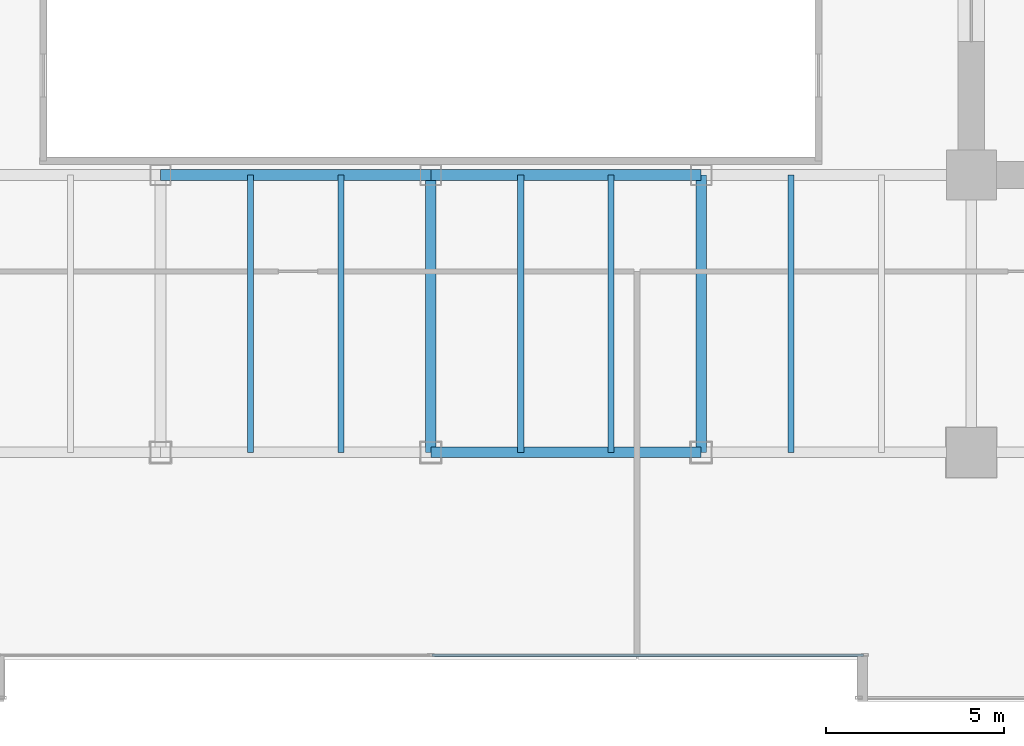
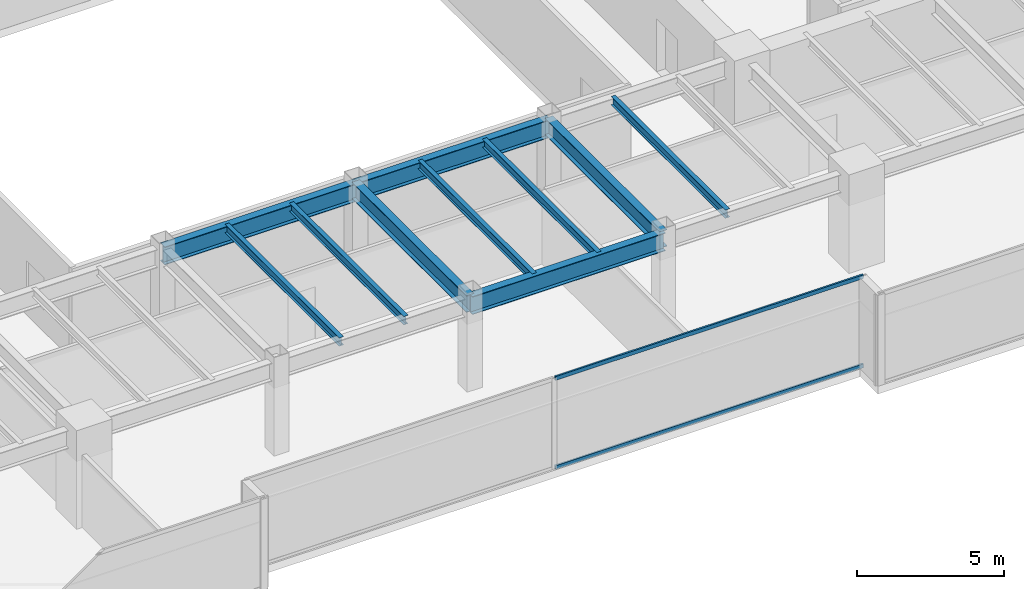
# One storey, part 9 of 36: 10 beams, 2 members, 1 element without a shape of its own.
"""IFC4 building model written with IfcOpenShell, lengths in metres."""

from ifc_helpers import new_model, si_unit, direction, frame, origin, origin_2d, place, context, subcontext, project, spatial, hollow_rectangle, i_section, extrude, source, transform, mapped, material, layer, layer_set, material_profile, profile_set, type_object, type_shapes, element, aggregate, save


model = new_model("IFC4")

# Units and contexts
model_context = context("Model", 3, precision=1e-05, world=origin(), true_north=direction((0.0, 1.0)))
body_context = subcontext(model_context, "Body", "Model", "MODEL_VIEW")
ifc_project = project(units=[si_unit("LENGTHUNIT", "METRE"), si_unit("AREAUNIT", "SQUARE_METRE"), si_unit("VOLUMEUNIT", "CUBIC_METRE"), si_unit("PLANEANGLEUNIT", "RADIAN"), si_unit("MASSUNIT", "GRAM", prefix="KILO")], contexts=[model_context])

# Site, building, storey
site_placement = place(None, origin())
site = spatial("IfcSite", under=ifc_project, at=site_placement, CompositionType="ELEMENT")
building_placement = place(site_placement, origin())
building = spatial("IfcBuilding", under=site, at=building_placement, Name="Haelvirn Gate Laboratories", CompositionType="ELEMENT")
storey_placement = place(building_placement, frame((0.0, 0.0, 53.89990234375)))
storey = spatial("IfcBuildingStorey", under=building, at=storey_placement, Name="L13", CompositionType="ELEMENT", Elevation=53.89990234375)

# Beams
ifc_material_1 = material(Name="Steel SM355", Category="steel")
ifc_material_profile_1 = material_profile(ifc_material_1, i_section(OverallWidth=0.300048828125, OverallDepth=0.699951171875, WebThickness=0.012939453125, FlangeThickness=0.02392578125, at=origin_2d()), Name="H-700x300x13x24")
ifc_profile_set_1 = profile_set([ifc_material_profile_1], Name="Steel SM355")
beam_type_1 = type_object("IfcBeamType", Name="BM-G-700", PredefinedType="BEAM", material=ifc_profile_set_1)
shared_shape_1 = source(origin(), body_context, "Body", "SweptSolid", [
    extrude(i_section(OverallWidth=0.300048828125, OverallDepth=0.699951171875, WebThickness=0.012939453125, FlangeThickness=0.02392578125, at=origin_2d()), origin(), (0.0, 0.0, 1.0), 7.800048828125),
])
type_shapes(beam_type_1, [shared_shape_1])
for number, where, z_axis, x_axis, name in (
    (1, (37.39990234375, 7.0, 3.43017578125), (0.0, 1.0, 0.0), (-1.0, 0.0, 0.0), "L13 Frame Girder X37.4 (7.0-14.8)"),
    (2, (45.0, 7.0, 3.43017578125), (0.0, 1.0, 0.0), (-1.0, 0.0, 0.0), "L13 Frame Girder X45.0 (7.0-14.8)"),
):
    element("IfcBeam", number, at=place(storey_placement, frame(where, z_axis=z_axis, x_axis=x_axis)), inside=storey, type_object=beam_type_1, Name=name, PredefinedType="BEAM", context=body_context, shape_type="MappedRepresentation", body=[
        mapped(shared_shape_1, transform((0.0, 0.0, 0.0), scale=1.0)),
    ])
ifc_material_profile_2 = material_profile(ifc_material_1, i_section(OverallWidth=0.300048828125, OverallDepth=0.75, WebThickness=0.013916015625, FlangeThickness=0.02392578125, at=origin_2d()), Name="H-750x300x14x24")
ifc_profile_set_2 = profile_set([ifc_material_profile_2], Name="Steel SM355")
beam_type_2 = type_object("IfcBeamType", Name="BM-G-750", PredefinedType="BEAM", material=ifc_profile_set_2)
shared_shape_2 = source(origin(), body_context, "Body", "SweptSolid", [
    extrude(i_section(OverallWidth=0.300048828125, OverallDepth=0.75, WebThickness=0.013916015625, FlangeThickness=0.02392578125, at=origin_2d()), origin(), (0.0, 0.0, 1.0), 7.60009765625),
])
for number, where, z_axis, x_axis, name in (
    (3, (37.39990234375, 7.0, 3.405029296875), (1.0, 0.0, 0.0), (0.0, 1.0, 0.0), "L13 Primary Girder Y7.0 (37.4-45.0)"),
    (4, (37.39990234375, 14.800048828125, 3.405029296875), (1.0, 0.0, 0.0), (0.0, 1.0, 0.0), "L13 Primary Girder Y14.8 (37.4-45.0)"),
):
    element("IfcBeam", number, at=place(storey_placement, frame(where, z_axis=z_axis, x_axis=x_axis)), inside=storey, type_object=beam_type_2, Name=name, PredefinedType="BEAM", context=body_context, shape_type="MappedRepresentation", body=[
        mapped(shared_shape_2, transform((0.0, 0.0, 0.0), scale=1.0)),
    ])
shared_shape_3 = source(origin(), body_context, "Body", "SweptSolid", [
    extrude(i_section(OverallWidth=0.300048828125, OverallDepth=0.75, WebThickness=0.013916015625, FlangeThickness=0.02392578125, at=origin_2d()), origin(), (0.0, 0.0, 1.0), 7.599853515625),
])
type_shapes(beam_type_2, [shared_shape_2, shared_shape_3])
beam_placement = place(storey_placement, frame((29.800048828125, 14.800048828125, 3.405029296875), z_axis=(1.0, 0.0, 0.0), x_axis=(0.0, 1.0, 0.0)))
element("IfcBeam", 5, at=beam_placement, inside=storey, type_object=beam_type_2, Name="L13 Primary Girder Y14.8 (29.8-37.4)", PredefinedType="BEAM", context=body_context, shape_type="MappedRepresentation", body=[
    mapped(shared_shape_3, transform((0.0, 0.0, 0.0), scale=1.0)),
])
ifc_material_profile_3 = material_profile(ifc_material_1, i_section(OverallWidth=0.175048828125, OverallDepth=0.35009765625, WebThickness=0.007080078125, FlangeThickness=0.010986328125, at=origin_2d()), Name="H-350x175x7x11")
ifc_profile_set_3 = profile_set([ifc_material_profile_3], Name="Steel SM355")
beam_type_3 = type_object("IfcBeamType", Name="BM-J-350", PredefinedType="JOIST", material=ifc_profile_set_3)
shared_shape_4 = source(origin(), body_context, "Body", "SweptSolid", [
    extrude(i_section(OverallWidth=0.175048828125, OverallDepth=0.35009765625, WebThickness=0.007080078125, FlangeThickness=0.010986328125, at=origin_2d()), origin(), (0.0, 0.0, 1.0), 7.800048828125),
])
type_shapes(beam_type_3, [shared_shape_4])
for number, where, z_axis, x_axis, name in (
    (6, (32.330078125, 7.0, 3.60498046875), (0.0, 1.0, 0.0), (-1.0, 0.0, 0.0), "L13 Composite Lab Joist South X32.33"),
    (7, (34.8701171875, 7.0, 3.60498046875), (0.0, 1.0, 0.0), (-1.0, 0.0, 0.0), "L13 Composite Lab Joist South X34.87"),
    (8, (39.929931640625, 7.0, 3.60498046875), (0.0, 1.0, 0.0), (-1.0, 0.0, 0.0), "L13 Composite Lab Joist South X39.93"),
    (9, (42.469970703125, 7.0, 3.60498046875), (0.0, 1.0, 0.0), (-1.0, 0.0, 0.0), "L13 Composite Lab Joist South X42.47"),
    (10, (47.530029296875, 7.0, 3.60498046875), (0.0, 1.0, 0.0), (-1.0, 0.0, 0.0), "L13 Composite Lab Joist South X47.53"),
):
    element("IfcBeam", number, at=place(storey_placement, frame(where, z_axis=z_axis, x_axis=x_axis)), inside=storey, type_object=beam_type_3, Name=name, PredefinedType="JOIST", context=body_context, shape_type="MappedRepresentation", body=[
        mapped(shared_shape_4, transform((0.0, 0.0, 0.0), scale=1.0)),
    ])

# Curtain wall, members
ifc_material_2 = material(Name="Anodised bronze unitised aluminium & triple low-E glass", Category="aluminium")
ifc_layer = layer(ifc_material_2, 0.18408203125, Name="CW-SYS-2")
ifc_layer_set = layer_set([ifc_layer], Name="Anodised bronze unitised aluminium & triple low-E glass")
curtain_wall_type = type_object("IfcCurtainWallType", Name="CW-SYS-2", PredefinedType="NOTDEFINED", material=ifc_layer_set)
curtain_wall_placement = place(storey_placement, origin())
curtain_wall = element("IfcCurtainWall", 11, at=curtain_wall_placement, inside=storey, type_object=curtain_wall_type, Name="L13 Unitised Curtain Wall CW-L13-P0-E02-1", PredefinedType="NOTDEFINED")
ifc_material_3 = material(Name="Extruded aluminium 6063-T6 (anodised bronze)", Category="aluminium")
ifc_material_profile_4 = material_profile(ifc_material_3, hollow_rectangle(XDim=0.070068359375, YDim=0.159912109375, WallThickness=0.0048828125, at=origin_2d()), Name="CWT-160x70x5")
ifc_profile_set_4 = profile_set([ifc_material_profile_4], Name="Extruded aluminium 6063-T6 (anodised bronze)")
member_type = type_object("IfcMemberType", Name="CWT-T160", PredefinedType="USERDEFINED", material=ifc_profile_set_4)
shared_shape_5 = source(origin(), body_context, "Body", "SweptSolid", [
    extrude(hollow_rectangle(XDim=0.070068359375, YDim=0.159912109375, WallThickness=0.0048828125, at=origin_2d()), origin(), (0.0, 0.0, 1.0), 12.12744140625),
])
type_shapes(member_type, [shared_shape_5])
member_1_placement = place(storey_placement, frame((37.4375, 1.300048828125, 0.03515625), z_axis=(1.0, 0.0, 0.0), x_axis=(0.0, 1.0, 0.0)))
member_1 = element("IfcMember", 12, at=member_1_placement, type_object=member_type, Name="CW2 transom 2.1", ObjectType="TRANSOM", PredefinedType="USERDEFINED", context=body_context, shape_type="MappedRepresentation", body=[
    mapped(shared_shape_5, transform((0.0, 0.0, 0.0), scale=1.0)),
])
member_2_placement = place(storey_placement, frame((37.4375, 1.300048828125, 3.7451171875), z_axis=(1.0, 0.0, 0.0), x_axis=(0.0, 1.0, 0.0)))
member_2 = element("IfcMember", 13, at=member_2_placement, type_object=member_type, Name="CW2 transom 2.2", ObjectType="TRANSOM", PredefinedType="USERDEFINED", context=body_context, shape_type="MappedRepresentation", body=[
    mapped(shared_shape_5, transform((0.0, 0.0, 0.0), scale=1.0)),
])
aggregate(curtain_wall, [member_1, member_2])

save(model, "model.ifc")
